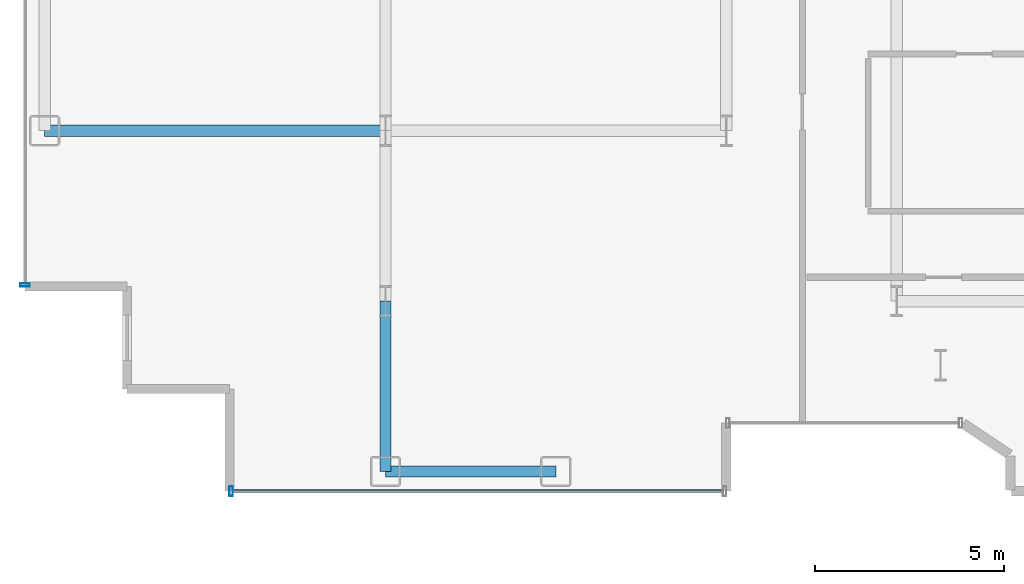
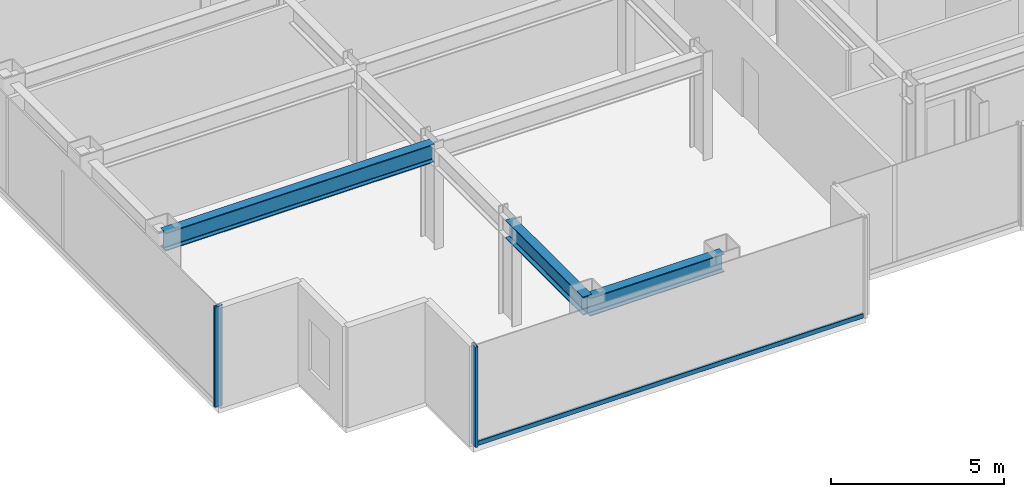
# One storey, part 3 of 23: 3 beams, 3 members, 2 elements without a shape of their own.
"""IFC4 building model written with IfcOpenShell, lengths in metres."""

from ifc_helpers import new_model, si_unit, direction, frame, origin, origin_2d, place, context, subcontext, project, spatial, hollow_rectangle, i_section, extrude, source, transform, mapped, material, layer, layer_set, material_profile, profile_set, type_object, element, aggregate, save


model = new_model("IFC4")

# Units and contexts
model_context = context("Model", 3, precision=1e-05, world=origin(), true_north=direction((0.0, 1.0)))
body_context = subcontext(model_context, "Body", "Model", "MODEL_VIEW")
ifc_project = project(units=[si_unit("LENGTHUNIT", "METRE"), si_unit("AREAUNIT", "SQUARE_METRE"), si_unit("VOLUMEUNIT", "CUBIC_METRE"), si_unit("PLANEANGLEUNIT", "RADIAN"), si_unit("MASSUNIT", "GRAM", prefix="KILO")], contexts=[model_context])

# Site, building, storey
site_placement = place(None, origin())
site = spatial("IfcSite", under=ifc_project, at=site_placement, CompositionType="ELEMENT")
building_placement = place(site_placement, origin())
building = spatial("IfcBuilding", under=site, at=building_placement, Name="Nefas-Gora Pilgrimage Tower", CompositionType="ELEMENT")
storey_placement = place(building_placement, frame((0.0, 0.0, 190.60009765625)))
storey = spatial("IfcBuildingStorey", under=building, at=storey_placement, Name="L47", CompositionType="ELEMENT", Elevation=190.60009765625)

# Beams
ifc_material_1 = material(Name="Steel S355", Category="steel")
ifc_material_profile_1 = material_profile(ifc_material_1, i_section(OverallWidth=0.300048828125, OverallDepth=0.64990234375, WebThickness=0.01611328125, FlangeThickness=0.031005859375, FilletRadius=0.027099609375, at=origin_2d()), Name="HEB 650")
ifc_profile_set_1 = profile_set([ifc_material_profile_1], Name="Steel S355")
beam_type_1 = type_object("IfcBeamType", Name="BM-SPN-HEB500", PredefinedType="SPANDREL", material=ifc_profile_set_1)
shared_shape_1 = source(origin(), body_context, "Body", "SweptSolid", [
    extrude(i_section(OverallWidth=0.300048828125, OverallDepth=0.64990234375, WebThickness=0.01611328125, FlangeThickness=0.031005859375, FilletRadius=0.027099609375, at=origin_2d()), origin(), (0.0, 0.0, 1.0), 4.5),
])
beam_1_placement = place(storey_placement, frame((-24.75, -22.5, 3.224853515625), z_axis=(1.0, 0.0, 0.0), x_axis=(0.0, 1.0, 0.0)))
element("IfcBeam", 1, at=beam_1_placement, inside=storey, type_object=beam_type_1, Name="L47 SP-02 beam", PredefinedType="SPANDREL", context=body_context, shape_type="MappedRepresentation", body=[
    mapped(shared_shape_1, transform((0.0, 0.0, 0.0), x_axis=(1.0, 0.0, 0.0), y_axis=(0.0, 1.0, 0.0), z_axis=(0.0, 0.0, 1.0), scale=1.0)),
])
ifc_material_profile_2 = material_profile(ifc_material_1, i_section(OverallWidth=0.300048828125, OverallDepth=0.64990234375, WebThickness=0.01611328125, FlangeThickness=0.031005859375, FilletRadius=0.027099609375, at=origin_2d()), Name="HEB 650")
ifc_profile_set_2 = profile_set([ifc_material_profile_2], Name="Steel S355")
beam_type_2 = type_object("IfcBeamType", Name="BM-GIR-HEB650", PredefinedType="BEAM", material=ifc_profile_set_2)
shared_shape_2 = source(origin(), body_context, "Body", "SweptSolid", [
    extrude(i_section(OverallWidth=0.300048828125, OverallDepth=0.64990234375, WebThickness=0.01611328125, FlangeThickness=0.031005859375, FilletRadius=0.027099609375, at=origin_2d()), origin(), (0.0, 0.0, 1.0), 9.0),
])
beam_2_placement = place(storey_placement, frame((-33.75, -13.5, 3.224853515625), z_axis=(1.0, 0.0, 0.0), x_axis=(0.0, 1.0, 0.0)))
element("IfcBeam", 2, at=beam_2_placement, inside=storey, type_object=beam_type_2, Name="L47 G-03 beam", PredefinedType="BEAM", context=body_context, shape_type="MappedRepresentation", body=[
    mapped(shared_shape_2, transform((0.0, 0.0, 0.0), x_axis=(1.0, 0.0, 0.0), y_axis=(0.0, 1.0, 0.0), z_axis=(0.0, 0.0, 1.0), scale=1.0)),
])
shared_shape_3 = source(origin(), body_context, "Body", "SweptSolid", [
    extrude(i_section(OverallWidth=0.300048828125, OverallDepth=0.64990234375, WebThickness=0.01611328125, FlangeThickness=0.031005859375, FilletRadius=0.027099609375, at=origin_2d()), origin(), (0.0, 0.0, 1.0), 4.5),
])
beam_3_placement = place(storey_placement, frame((-24.75, -22.5, 3.224853515625), z_axis=(0.0, 1.0, 0.0), x_axis=(-1.0, 0.0, 0.0)))
element("IfcBeam", 3, at=beam_3_placement, inside=storey, type_object=beam_type_2, Name="L47 G-03 beam", PredefinedType="BEAM", context=body_context, shape_type="MappedRepresentation", body=[
    mapped(shared_shape_3, transform((0.0, 0.0, 0.0), x_axis=(1.0, 0.0, 0.0), y_axis=(0.0, 1.0, 0.0), z_axis=(0.0, 0.0, 1.0), scale=1.0)),
])

# Curtain wall, member
ifc_material_2 = material(Name="Dark ceramic-fritted solar-control aluminium-glass curtain wall", Category="aluminium")
ifc_layer = layer(ifc_material_2, 0.219970703125)
ifc_layer_set = layer_set([ifc_layer], Name="Dark ceramic-fritted solar-control aluminium-glass curtain wall")
curtain_wall_type = type_object("IfcCurtainWallType", Name="CW-SYS-3", PredefinedType="NOTDEFINED", material=ifc_layer_set)
curtain_wall_1_placement = place(storey_placement, origin())
curtain_wall_1 = element("IfcCurtainWall", 4, at=curtain_wall_1_placement, inside=storey, type_object=curtain_wall_type, Name="L47 Unitised Curtain Wall CW3", PredefinedType="NOTDEFINED")
ifc_material_3 = material(Name="Anodised architectural aluminium", Category="aluminium")
ifc_material_profile_3 = material_profile(ifc_material_3, hollow_rectangle(XDim=0.080078125, YDim=0.159912109375, WallThickness=0.00439453125, InnerFilletRadius=0.00439453125, OuterFilletRadius=0.009033203125, at=origin_2d()), Name="ALU TRANSOM 80x160")
ifc_profile_set_3 = profile_set([ifc_material_profile_3], Name="Anodised architectural aluminium")
member_type_1 = type_object("IfcMemberType", Name="CWM-TRN-3", PredefinedType="USERDEFINED", material=ifc_profile_set_3)
shared_shape_4 = source(origin(), body_context, "Body", "SweptSolid", [
    extrude(hollow_rectangle(XDim=0.080078125, YDim=0.159912109375, WallThickness=0.00439453125, InnerFilletRadius=0.00439453125, OuterFilletRadius=0.009033203125, at=origin_2d()), origin(), (0.0, 0.0, 1.0), 12.93994140625),
])
member_1_placement = place(storey_placement, frame((-28.780029296875, -23.02001953125, 0.0498046875), z_axis=(1.0, 0.0, 0.0), x_axis=(0.0, 1.0, 0.0)))
member_1 = element("IfcMember", 5, at=member_1_placement, type_object=member_type_1, Name="CW3 Spandrel Transom", ObjectType="TRANSOM", PredefinedType="USERDEFINED", context=body_context, shape_type="MappedRepresentation", body=[
    mapped(shared_shape_4, transform((0.0, 0.0, 0.0), x_axis=(1.0, 0.0, 0.0), y_axis=(0.0, 1.0, 0.0), z_axis=(0.0, 0.0, 1.0), scale=1.0)),
])

curtain_wall_2_placement = place(storey_placement, origin())
curtain_wall_2 = element("IfcCurtainWall", 6, at=curtain_wall_2_placement, inside=storey, type_object=curtain_wall_type, Name="L47 Unitised Curtain Wall CW3", PredefinedType="NOTDEFINED")
ifc_material_profile_4 = material_profile(ifc_material_3, hollow_rectangle(XDim=0.090087890625, YDim=0.260009765625, WallThickness=0.006103515625, InnerFilletRadius=0.006103515625, OuterFilletRadius=0.011962890625, at=origin_2d()), Name="ALU MULLION 90x260")
ifc_profile_set_4 = profile_set([ifc_material_profile_4], Name="Anodised architectural aluminium")
member_type_2 = type_object("IfcMemberType", Name="CWM-MUL-3", PredefinedType="MULLION", material=ifc_profile_set_4)
shared_shape_5 = source(origin(), body_context, "Body", "SweptSolid", [
    extrude(hollow_rectangle(XDim=0.090087890625, YDim=0.260009765625, WallThickness=0.006103515625, InnerFilletRadius=0.006103515625, OuterFilletRadius=0.011962890625, at=origin_2d()), origin(), (0.0, 0.0, 1.0), 3.5498046875),
])
member_2_placement = place(storey_placement, frame((-34.27001953125, -17.574951171875, 0.0), z_axis=(0.0, 0.0, 1.0), x_axis=(0.0, -1.0, 0.0)))
member_2 = element("IfcMember", 7, at=member_2_placement, type_object=member_type_2, Name="CW3 Mullion 2", PredefinedType="MULLION", context=body_context, shape_type="MappedRepresentation", body=[
    mapped(shared_shape_5, transform((0.0, 0.0, 0.0), x_axis=(1.0, 0.0, 0.0), y_axis=(0.0, 1.0, 0.0), z_axis=(0.0, 0.0, 1.0), scale=1.0)),
])
aggregate(curtain_wall_2, [member_2])

# Member
member_3_placement = place(storey_placement, frame((-28.824951171875, -23.02001953125, 0.0), z_axis=(0.0, 0.0, 1.0), x_axis=(1.0, 0.0, 0.0)))
member_3 = element("IfcMember", 8, at=member_3_placement, type_object=member_type_2, Name="CW3 Mullion 1", PredefinedType="MULLION", context=body_context, shape_type="MappedRepresentation", body=[
    mapped(shared_shape_5, transform((0.0, 0.0, 0.0), x_axis=(1.0, 0.0, 0.0), y_axis=(0.0, 1.0, 0.0), z_axis=(0.0, 0.0, 1.0), scale=1.0)),
])

aggregate(curtain_wall_1, [member_3, member_1])

save(model, "model.ifc")
